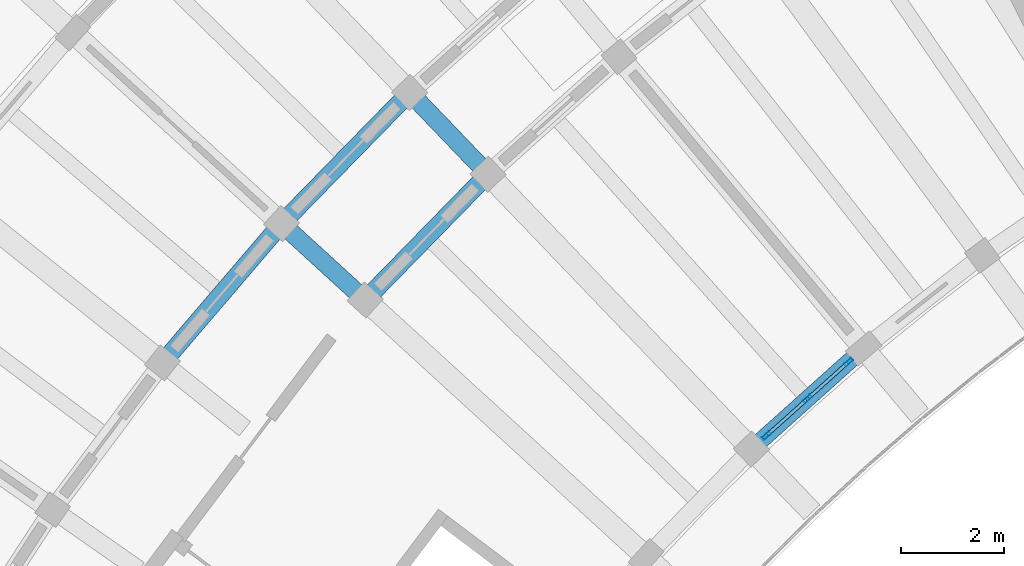
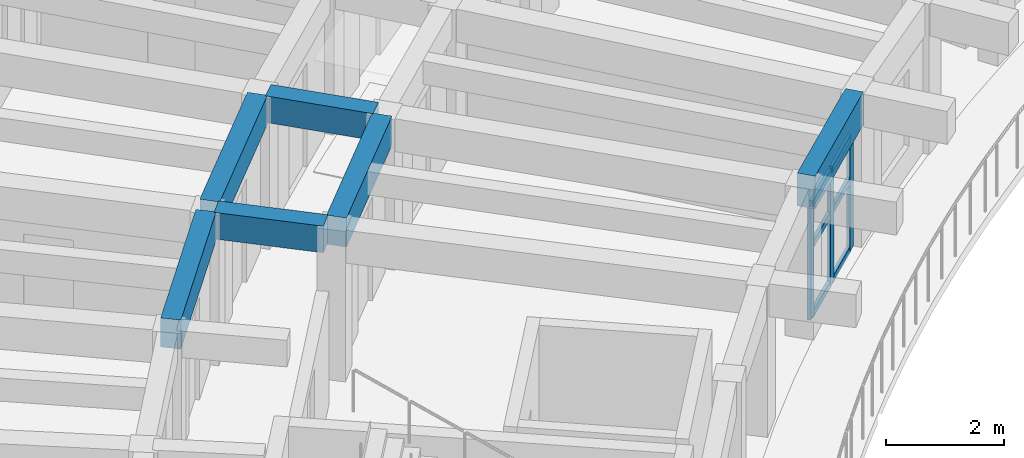
# One storey, part 14 of 83: 9 members, 6 beams, 1 element without a shape of its own.
"""IFC4 building model written with IfcOpenShell, lengths in metres."""

from ifc_helpers import new_model, si_unit, direction, frame, origin, origin_2d, place, context, subcontext, project, spatial, rectangle, hollow_rectangle, extrude, material, material_profile, profile_set, type_object, element, aggregate, save


model = new_model("IFC4")

# Units and contexts
model_context = context("Model", 3, precision=1e-05, world=origin(), true_north=direction((0.0, 1.0)))
body_context = subcontext(model_context, "Body", "Model", "MODEL_VIEW")
ifc_project = project(units=[si_unit("LENGTHUNIT", "METRE"), si_unit("AREAUNIT", "SQUARE_METRE"), si_unit("VOLUMEUNIT", "CUBIC_METRE"), si_unit("PLANEANGLEUNIT", "RADIAN"), si_unit("MASSUNIT", "GRAM", prefix="KILO")], contexts=[model_context])

# Site, building, storey
site_placement = place(None, origin())
site = spatial("IfcSite", under=ifc_project, at=site_placement, CompositionType="ELEMENT")
building_placement = place(site_placement, origin())
building = spatial("IfcBuilding", under=site, at=building_placement, Name="Tanwirah Colonnade Gardens", CompositionType="ELEMENT")
storey_placement = place(building_placement, frame((0.0, 0.0, 25.639892578125)))
storey = spatial("IfcBuildingStorey", under=building, at=storey_placement, Name="L07", CompositionType="ELEMENT", Elevation=25.639892578125)

# Beams
ifc_material_1 = material(Name="Precast concrete C40/50", Category="concrete")
ifc_material_profile_1 = material_profile(ifc_material_1, rectangle(XDim=0.35009765625, YDim=0.550048828125, at=origin_2d()), Name="PC-BM 350x550")
ifc_profile_set_1 = profile_set([ifc_material_profile_1], Name="Precast concrete C40/50")
beam_type_1 = type_object("IfcBeamType", Name="BM-PC350A", PredefinedType="BEAM", material=ifc_profile_set_1)
beam_1_placement = place(storey_placement, frame((29.023193359375, 97.74560546875, 2.835205078125), z_axis=(-0.691913735329, 0.721980181766, 0.0), x_axis=(-0.721980181766, -0.691913735329, 0.0)))
element("IfcBeam", 1, at=beam_1_placement, inside=storey, type_object=beam_type_1, Name="Block A L07 Corridor Tie Beam 10", PredefinedType="BEAM", context=body_context, shape_type="SweptSolid", body=[
    extrude(rectangle(XDim=0.35009765625, YDim=0.550048828125, at=origin_2d()), origin(), (0.0, 0.0, 1.0), 1.900146484375),
])
beam_2_placement = place(storey_placement, frame((26.62744140625, 95.29345703125, 2.835205078125), z_axis=(-0.737948361517, 0.674857181732, 0.0), x_axis=(-0.674857181732, -0.737948361517, 0.0)))
element("IfcBeam", 2, at=beam_2_placement, inside=storey, type_object=beam_type_1, Name="Block A L07 Corridor Tie Beam 11", PredefinedType="BEAM", context=body_context, shape_type="SweptSolid", body=[
    extrude(rectangle(XDim=0.35009765625, YDim=0.550048828125, at=origin_2d()), origin(), (0.0, 0.0, 1.0), 1.89990234375),
])
ifc_material_profile_2 = material_profile(ifc_material_1, rectangle(XDim=0.35009765625, YDim=0.60009765625, at=origin_2d()), Name="PC-BM 350x600")
ifc_profile_set_2 = profile_set([ifc_material_profile_2], Name="Precast concrete C40/50")
beam_type_2 = type_object("IfcBeamType", Name="BM-PC350B", PredefinedType="BEAM", material=ifc_profile_set_2)
beam_3_placement = place(storey_placement, frame((29.02197265625, 97.52978515625, 2.81005859375), z_axis=(-0.698837366631, -0.715280598787, 0.0), x_axis=(0.715280598787, -0.698837366631, 0.0)))
element("IfcBeam", 3, at=beam_3_placement, inside=storey, type_object=beam_type_2, Name="Block A L07 Circumferential Beam 10-R1", PredefinedType="BEAM", context=body_context, shape_type="SweptSolid", body=[
    extrude(rectangle(XDim=0.35009765625, YDim=0.60009765625, at=origin_2d()), origin(), (0.0, 0.0, 1.0), 3.117919921875),
])
beam_4_placement = place(storey_placement, frame((27.5, 99.118408203125, 2.81005859375), z_axis=(-0.698829447339, -0.71528833594, 0.0), x_axis=(0.71528833594, -0.698829447339, 0.0)))
element("IfcBeam", 4, at=beam_4_placement, inside=storey, type_object=beam_type_2, Name="Block A L07 Circumferential Beam 10-R2", PredefinedType="BEAM", context=body_context, shape_type="SweptSolid", body=[
    extrude(rectangle(XDim=0.35009765625, YDim=0.60009765625, at=origin_2d()), origin(), (0.0, 0.0, 1.0), 3.263427734375),
])
beam_5_placement = place(storey_placement, frame((25.017333984375, 96.56298828125, 2.81005859375), z_axis=(-0.650218192342, -0.759747525398, 0.0), x_axis=(0.759747525398, -0.650218192342, 0.0)))
element("IfcBeam", 5, at=beam_5_placement, inside=storey, type_object=beam_type_2, Name="Block A L07 Circumferential Beam 11-R2", PredefinedType="BEAM", context=body_context, shape_type="SweptSolid", body=[
    extrude(rectangle(XDim=0.35009765625, YDim=0.60009765625, at=origin_2d()), origin(), (0.0, 0.0, 1.0), 3.26318359375),
])

# Curtain wall, members
ifc_material_2 = material(Name="Bronze-anodised aluminium and solar-control low-E glass", Category="aluminium")
curtain_wall_type = type_object("IfcCurtainWallType", Name="CW-GDN", PredefinedType="NOTDEFINED", material=ifc_material_2)
curtain_wall_placement = place(storey_placement, origin())
curtain_wall = element("IfcCurtainWall", 6, at=curtain_wall_placement, inside=storey, type_object=curtain_wall_type, Name="Curtain Wall CW-A-L07-IN-09", PredefinedType="NOTDEFINED")
ifc_material_3 = material(Name="Bronze-anodised aluminium", Category="aluminium")
ifc_material_profile_3 = material_profile(ifc_material_3, hollow_rectangle(XDim=0.06494140625, YDim=0.179931640625, WallThickness=0.00390625, at=origin_2d()), Name="CW-MUL 65x180x4")
ifc_profile_set_3 = profile_set([ifc_material_profile_3], Name="Bronze-anodised aluminium")
member_type_1 = type_object("IfcMemberType", Name="CWM-65x180", PredefinedType="MULLION", material=ifc_profile_set_3)
member_1_placement = place(storey_placement, frame((36.135986328125, 93.988525390625, 0.0), z_axis=(0.0, 0.0, 1.0), x_axis=(0.667689182798, -0.744440162253, 0.0)))
member_1 = element("IfcMember", 7, at=member_1_placement, type_object=member_type_1, Name="CW-GDN mullion 1", PredefinedType="MULLION", context=body_context, shape_type="SweptSolid", body=[
    extrude(hollow_rectangle(XDim=0.06494140625, YDim=0.179931640625, WallThickness=0.00390625, at=origin_2d()), origin(), (0.0, 0.0, 1.0), 2.355224609375),
])
member_2_placement = place(storey_placement, frame((35.33740234375, 93.2724609375, 0.0), z_axis=(0.0, 0.0, 1.0), x_axis=(0.667689182798, -0.744440162253, 0.0)))
member_2 = element("IfcMember", 8, at=member_2_placement, type_object=member_type_1, Name="CW-GDN mullion 2", PredefinedType="MULLION", context=body_context, shape_type="SweptSolid", body=[
    extrude(hollow_rectangle(XDim=0.06494140625, YDim=0.179931640625, WallThickness=0.00390625, at=origin_2d()), origin(), (0.0, 0.0, 1.0), 2.355224609375),
])
member_3_placement = place(storey_placement, frame((34.538818359375, 92.55615234375, 0.0), z_axis=(0.0, 0.0, 1.0), x_axis=(0.667689182798, -0.744440162253, 0.0)))
member_3 = element("IfcMember", 9, at=member_3_placement, type_object=member_type_1, Name="CW-GDN mullion 3", PredefinedType="MULLION", context=body_context, shape_type="SweptSolid", body=[
    extrude(hollow_rectangle(XDim=0.06494140625, YDim=0.179931640625, WallThickness=0.00390625, at=origin_2d()), origin(), (0.0, 0.0, 1.0), 2.355224609375),
])
ifc_material_profile_4 = material_profile(ifc_material_3, hollow_rectangle(XDim=0.06494140625, YDim=0.135009765625, WallThickness=0.00390625, at=origin_2d()), Name="CW-TRN 65x135x4")
ifc_profile_set_4 = profile_set([ifc_material_profile_4], Name="Bronze-anodised aluminium")
member_type_2 = type_object("IfcMemberType", Name="CWT-65x135", PredefinedType="USERDEFINED", material=ifc_profile_set_4)
member_4_placement = place(storey_placement, frame((36.11181640625, 93.966796875, 0.03271484375), z_axis=(-0.744581898821, -0.667531119835, 0.0), x_axis=(0.667531119835, -0.744581898821, 0.0)))
member_4 = element("IfcMember", 10, at=member_4_placement, type_object=member_type_2, Name="CW-GDN transom 1.1", ObjectType="TRANSOM", PredefinedType="USERDEFINED", context=body_context, shape_type="SweptSolid", body=[
    extrude(hollow_rectangle(XDim=0.06494140625, YDim=0.135009765625, WallThickness=0.00390625, at=origin_2d()), origin(), (0.0, 0.0, 1.0), 1.007568359375),
])
member_5_placement = place(storey_placement, frame((36.11181640625, 93.966796875, 1.460205078125), z_axis=(-0.744581898821, -0.667531119835, 0.0), x_axis=(0.667531119835, -0.744581898821, 0.0)))
member_5 = element("IfcMember", 11, at=member_5_placement, type_object=member_type_2, Name="CW-GDN transom 1.2", ObjectType="TRANSOM", PredefinedType="USERDEFINED", context=body_context, shape_type="SweptSolid", body=[
    extrude(hollow_rectangle(XDim=0.06494140625, YDim=0.135009765625, WallThickness=0.00390625, at=origin_2d()), origin(), (0.0, 0.0, 1.0), 1.007568359375),
])
member_6_placement = place(storey_placement, frame((36.11181640625, 93.966796875, 2.322509765625), z_axis=(-0.744581898821, -0.667531119835, 0.0), x_axis=(0.667531119835, -0.744581898821, 0.0)))
member_6 = element("IfcMember", 12, at=member_6_placement, type_object=member_type_2, Name="CW-GDN transom 1.3", ObjectType="TRANSOM", PredefinedType="USERDEFINED", context=body_context, shape_type="SweptSolid", body=[
    extrude(hollow_rectangle(XDim=0.06494140625, YDim=0.135009765625, WallThickness=0.00390625, at=origin_2d()), origin(), (0.0, 0.0, 1.0), 1.007568359375),
])
member_7_placement = place(storey_placement, frame((35.313232421875, 93.250732421875, 0.03271484375), z_axis=(-0.744461476402, -0.667665417821, 0.0), x_axis=(0.667665417821, -0.744461476402, 0.0)))
member_7 = element("IfcMember", 13, at=member_7_placement, type_object=member_type_2, Name="CW-GDN transom 2.1", ObjectType="TRANSOM", PredefinedType="USERDEFINED", context=body_context, shape_type="SweptSolid", body=[
    extrude(hollow_rectangle(XDim=0.06494140625, YDim=0.135009765625, WallThickness=0.00390625, at=origin_2d()), origin(), (0.0, 0.0, 1.0), 1.0078125),
])
member_8_placement = place(storey_placement, frame((35.313232421875, 93.250732421875, 1.460205078125), z_axis=(-0.744461476402, -0.667665417821, 0.0), x_axis=(0.667665417821, -0.744461476402, 0.0)))
member_8 = element("IfcMember", 14, at=member_8_placement, type_object=member_type_2, Name="CW-GDN transom 2.2", ObjectType="TRANSOM", PredefinedType="USERDEFINED", context=body_context, shape_type="SweptSolid", body=[
    extrude(hollow_rectangle(XDim=0.06494140625, YDim=0.135009765625, WallThickness=0.00390625, at=origin_2d()), origin(), (0.0, 0.0, 1.0), 1.0078125),
])
member_9_placement = place(storey_placement, frame((35.313232421875, 93.250732421875, 2.322509765625), z_axis=(-0.744461476402, -0.667665417821, 0.0), x_axis=(0.667665417821, -0.744461476402, 0.0)))
member_9 = element("IfcMember", 15, at=member_9_placement, type_object=member_type_2, Name="CW-GDN transom 2.3", ObjectType="TRANSOM", PredefinedType="USERDEFINED", context=body_context, shape_type="SweptSolid", body=[
    extrude(hollow_rectangle(XDim=0.06494140625, YDim=0.135009765625, WallThickness=0.00390625, at=origin_2d()), origin(), (0.0, 0.0, 1.0), 1.0078125),
])
aggregate(curtain_wall, [member_1, member_2, member_3, member_4, member_5, member_6, member_7, member_8, member_9])

# Beam
ifc_material_4 = material(Name="Precast concrete C45/55", Category="concrete")
ifc_material_profile_5 = material_profile(ifc_material_4, rectangle(XDim=0.320068359375, YDim=0.679931640625, at=origin_2d()), Name="PC-SP 320x680")
ifc_profile_set_5 = profile_set([ifc_material_profile_5], Name="Precast concrete C45/55")
beam_type_3 = type_object("IfcBeamType", Name="SP-PC320", PredefinedType="SPANDREL", material=ifc_profile_set_5)
beam_6_placement = place(storey_placement, frame((36.31640625, 94.150634765625, 2.77001953125), z_axis=(-0.744400790288, -0.667733077972, 0.0), x_axis=(0.667733077972, -0.744400790288, 0.0)))
element("IfcBeam", 16, at=beam_6_placement, inside=storey, type_object=beam_type_3, Name="Block A L07 Circumferential Beam 9-R0", PredefinedType="SPANDREL", context=body_context, shape_type="SweptSolid", body=[
    extrude(rectangle(XDim=0.320068359375, YDim=0.679931640625, at=origin_2d()), origin(), (0.0, 0.0, 1.0), 2.63037109375),
])

save(model, "model.ifc")
